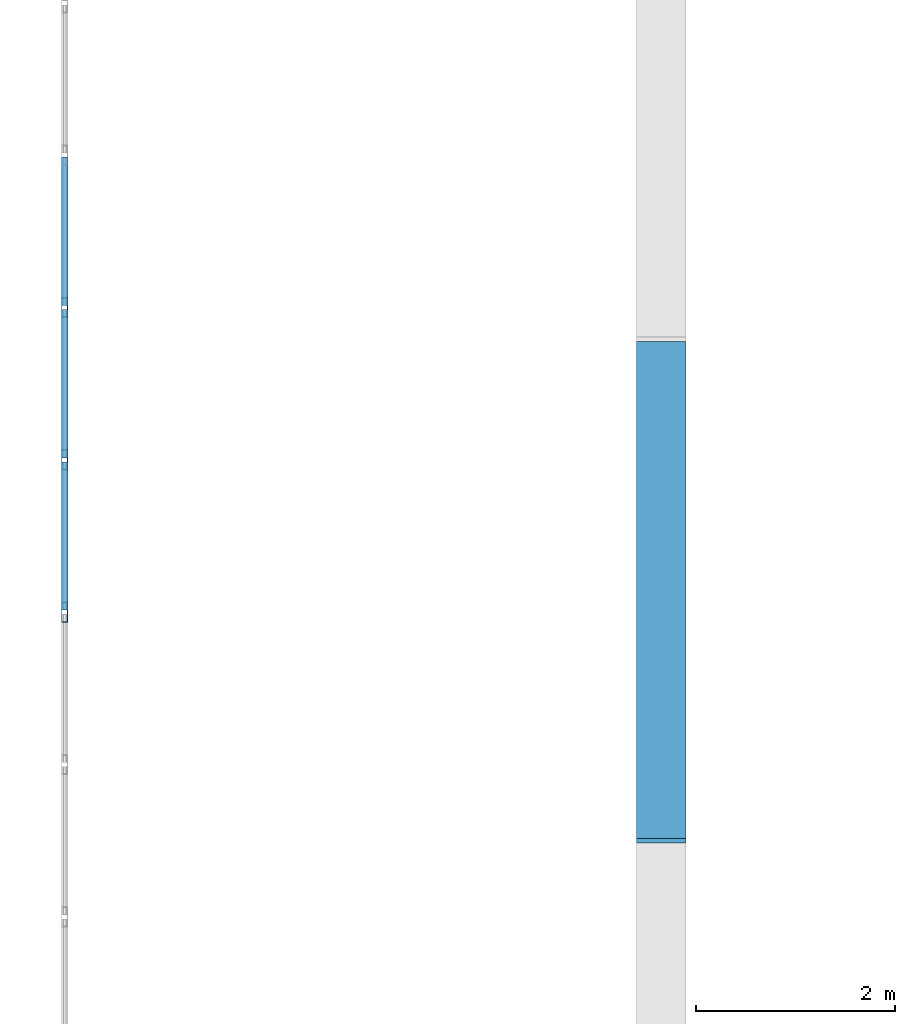
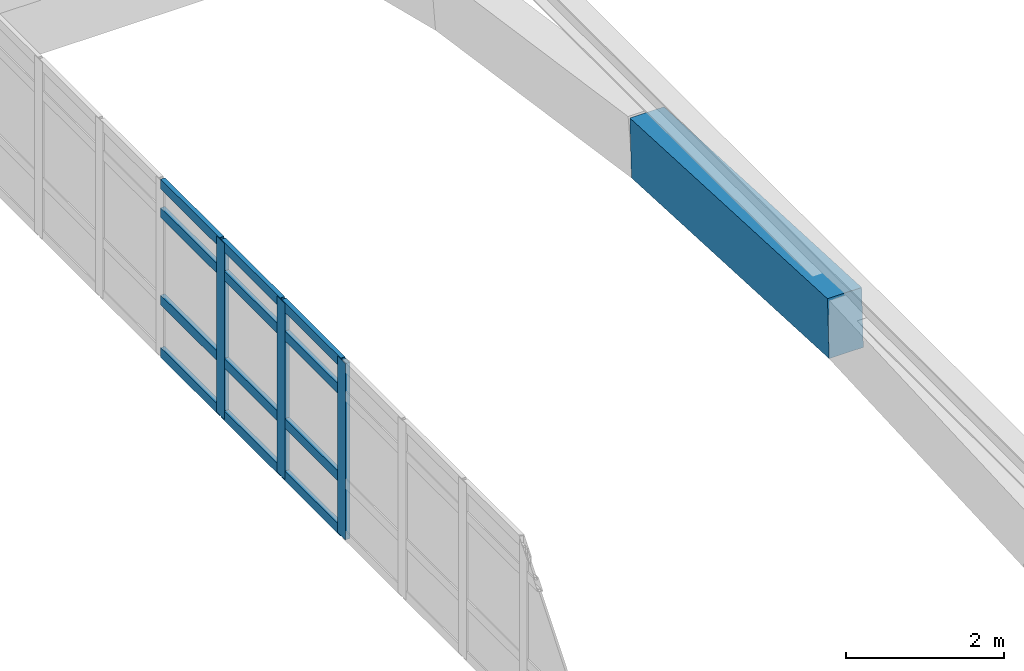
# One storey, part 17 of 161: 15 members, 1 beam, 1 element without a shape of its own.
"""IFC4 building model written with IfcOpenShell, lengths in metres."""

from ifc_helpers import new_model, si_unit, direction, frame, origin, origin_2d, place, context, subcontext, project, spatial, rectangle, hollow_rectangle, extrude, material, layer, layer_set, material_profile, profile_set, type_object, element, aggregate, save


model = new_model("IFC4")

# Units and contexts
model_context = context("Model", 3, precision=1e-05, world=origin(), true_north=direction((0.0, 1.0)))
body_context = subcontext(model_context, "Body", "Model", "MODEL_VIEW")
ifc_project = project(units=[si_unit("LENGTHUNIT", "METRE"), si_unit("AREAUNIT", "SQUARE_METRE"), si_unit("VOLUMEUNIT", "CUBIC_METRE"), si_unit("PLANEANGLEUNIT", "RADIAN"), si_unit("MASSUNIT", "GRAM", prefix="KILO")], contexts=[model_context])

# Site, building, storey
site_placement = place(None, origin())
site = spatial("IfcSite", under=ifc_project, at=site_placement, CompositionType="ELEMENT")
building_placement = place(site_placement, origin())
building = spatial("IfcBuilding", under=site, at=building_placement, Name="Mersad Railyard Sports Hall", CompositionType="ELEMENT")
storey_placement = place(building_placement, frame((0.0, 0.0, 4.800048828125)))
storey = spatial("IfcBuildingStorey", under=building, at=storey_placement, Name="L01", CompositionType="ELEMENT", Elevation=4.800048828125)

# Curtain wall, members
ifc_material_1 = material(Name="Aluminium 6063-T6", Category="aluminium")
ifc_layer = layer(ifc_material_1, 0.199951171875)
ifc_layer_set = layer_set([ifc_layer], Name="Aluminium 6063-T6")
curtain_wall_type = type_object("IfcCurtainWallType", Name="ARC-CW-CW04", PredefinedType="USERDEFINED", material=ifc_layer_set)
curtain_wall_placement = place(storey_placement, origin())
curtain_wall = element("IfcCurtainWall", 1, at=curtain_wall_placement, inside=storey, type_object=curtain_wall_type, Name="Curtain wall CW04-0024", ObjectType="CURTAIN WALL", PredefinedType="USERDEFINED")
ifc_material_profile_1 = material_profile(ifc_material_1, hollow_rectangle(XDim=0.06494140625, YDim=0.199951171875, WallThickness=0.0048828125, at=origin_2d()), Name="AL MULLION 65x200x5")
ifc_profile_set_1 = profile_set([ifc_material_profile_1], Name="Aluminium 6063-T6")
member_type_1 = type_object("IfcMemberType", Name="ARC-CW-MUL02", PredefinedType="MULLION", material=ifc_profile_set_1)
member_1_placement = place(storey_placement, frame((7.0, 30.798095703125, -0.02001953125), z_axis=(0.0, 0.0, 1.0), x_axis=(1.0, 0.0, 0.0)))
member_1 = element("IfcMember", 2, at=member_1_placement, type_object=member_type_1, Name="CW04 Mullion 12", PredefinedType="MULLION", context=body_context, shape_type="SweptSolid", body=[
    extrude(hollow_rectangle(XDim=0.06494140625, YDim=0.199951171875, WallThickness=0.0048828125, at=origin_2d()), origin(), (0.0, 0.0, 1.0), 2.719970703125),
])
member_2_placement = place(storey_placement, frame((7.0, 32.330322265625, -0.02001953125), z_axis=(0.0, 0.0, 1.0), x_axis=(1.0, 0.0, 0.0)))
member_2 = element("IfcMember", 3, at=member_2_placement, type_object=member_type_1, Name="CW04 Mullion 13", PredefinedType="MULLION", context=body_context, shape_type="SweptSolid", body=[
    extrude(hollow_rectangle(XDim=0.06494140625, YDim=0.199951171875, WallThickness=0.0048828125, at=origin_2d()), origin(), (0.0, 0.0, 1.0), 2.719970703125),
])
member_3_placement = place(storey_placement, frame((7.0, 33.8623046875, -0.02001953125), z_axis=(0.0, 0.0, 1.0), x_axis=(1.0, 0.0, 0.0)))
member_3 = element("IfcMember", 4, at=member_3_placement, type_object=member_type_1, Name="CW04 Mullion 14", PredefinedType="MULLION", context=body_context, shape_type="SweptSolid", body=[
    extrude(hollow_rectangle(XDim=0.06494140625, YDim=0.199951171875, WallThickness=0.0048828125, at=origin_2d()), origin(), (0.0, 0.0, 1.0), 2.719970703125),
])
ifc_material_profile_2 = material_profile(ifc_material_1, hollow_rectangle(XDim=0.06494140625, YDim=0.14990234375, WallThickness=0.00439453125, at=origin_2d()), Name="AL TRANSOM 65x150x4.5")
ifc_profile_set_2 = profile_set([ifc_material_profile_2], Name="Aluminium 6063-T6")
member_type_2 = type_object("IfcMemberType", Name="ARC-CW-TRN02", PredefinedType="USERDEFINED", material=ifc_profile_set_2)
member_4_placement = place(storey_placement, frame((7.0, 30.818115234375, 0.0400390625), z_axis=(0.0, 1.0, 0.0), x_axis=(-1.0, 0.0, 0.0)))
member_4 = element("IfcMember", 5, at=member_4_placement, type_object=member_type_2, Name="CW04 Transom 1-12", ObjectType="TRANSOM", PredefinedType="USERDEFINED", context=body_context, shape_type="SweptSolid", body=[
    extrude(hollow_rectangle(XDim=0.06494140625, YDim=0.14990234375, WallThickness=0.00439453125, at=origin_2d()), origin(), (0.0, 0.0, 1.0), 1.4921875),
])
member_5_placement = place(storey_placement, frame((7.0, 32.350341796875, 0.0400390625), z_axis=(0.0, 1.0, 0.0), x_axis=(-1.0, 0.0, 0.0)))
member_5 = element("IfcMember", 6, at=member_5_placement, type_object=member_type_2, Name="CW04 Transom 1-13", ObjectType="TRANSOM", PredefinedType="USERDEFINED", context=body_context, shape_type="SweptSolid", body=[
    extrude(hollow_rectangle(XDim=0.06494140625, YDim=0.14990234375, WallThickness=0.00439453125, at=origin_2d()), origin(), (0.0, 0.0, 1.0), 1.491943359375),
])
member_6_placement = place(storey_placement, frame((7.0, 33.88232421875, 0.0400390625), z_axis=(0.0, 1.0, 0.0), x_axis=(-1.0, 0.0, 0.0)))
member_6 = element("IfcMember", 7, at=member_6_placement, type_object=member_type_2, Name="CW04 Transom 1-14", ObjectType="TRANSOM", PredefinedType="USERDEFINED", context=body_context, shape_type="SweptSolid", body=[
    extrude(hollow_rectangle(XDim=0.06494140625, YDim=0.14990234375, WallThickness=0.00439453125, at=origin_2d()), origin(), (0.0, 0.0, 1.0), 1.4921875),
])
member_7_placement = place(storey_placement, frame((7.0, 30.818115234375, 0.849853515625), z_axis=(0.0, 1.0, 0.0), x_axis=(-1.0, 0.0, 0.0)))
member_7 = element("IfcMember", 8, at=member_7_placement, type_object=member_type_2, Name="CW04 Transom 2-12", ObjectType="TRANSOM", PredefinedType="USERDEFINED", context=body_context, shape_type="SweptSolid", body=[
    extrude(hollow_rectangle(XDim=0.06494140625, YDim=0.14990234375, WallThickness=0.00439453125, at=origin_2d()), origin(), (0.0, 0.0, 1.0), 1.4921875),
])
member_8_placement = place(storey_placement, frame((7.0, 32.350341796875, 0.849853515625), z_axis=(0.0, 1.0, 0.0), x_axis=(-1.0, 0.0, 0.0)))
member_8 = element("IfcMember", 9, at=member_8_placement, type_object=member_type_2, Name="CW04 Transom 2-13", ObjectType="TRANSOM", PredefinedType="USERDEFINED", context=body_context, shape_type="SweptSolid", body=[
    extrude(hollow_rectangle(XDim=0.06494140625, YDim=0.14990234375, WallThickness=0.00439453125, at=origin_2d()), origin(), (0.0, 0.0, 1.0), 1.491943359375),
])
member_9_placement = place(storey_placement, frame((7.0, 33.88232421875, 0.849853515625), z_axis=(0.0, 1.0, 0.0), x_axis=(-1.0, 0.0, 0.0)))
member_9 = element("IfcMember", 10, at=member_9_placement, type_object=member_type_2, Name="CW04 Transom 2-14", ObjectType="TRANSOM", PredefinedType="USERDEFINED", context=body_context, shape_type="SweptSolid", body=[
    extrude(hollow_rectangle(XDim=0.06494140625, YDim=0.14990234375, WallThickness=0.00439453125, at=origin_2d()), origin(), (0.0, 0.0, 1.0), 1.4921875),
])
member_10_placement = place(storey_placement, frame((7.0, 30.818115234375, 2.199951171875), z_axis=(0.0, 1.0, 0.0), x_axis=(-1.0, 0.0, 0.0)))
member_10 = element("IfcMember", 11, at=member_10_placement, type_object=member_type_2, Name="CW04 Transom 3-12", ObjectType="TRANSOM", PredefinedType="USERDEFINED", context=body_context, shape_type="SweptSolid", body=[
    extrude(hollow_rectangle(XDim=0.06494140625, YDim=0.14990234375, WallThickness=0.00439453125, at=origin_2d()), origin(), (0.0, 0.0, 1.0), 1.4921875),
])
member_11_placement = place(storey_placement, frame((7.0, 32.350341796875, 2.199951171875), z_axis=(0.0, 1.0, 0.0), x_axis=(-1.0, 0.0, 0.0)))
member_11 = element("IfcMember", 12, at=member_11_placement, type_object=member_type_2, Name="CW04 Transom 3-13", ObjectType="TRANSOM", PredefinedType="USERDEFINED", context=body_context, shape_type="SweptSolid", body=[
    extrude(hollow_rectangle(XDim=0.06494140625, YDim=0.14990234375, WallThickness=0.00439453125, at=origin_2d()), origin(), (0.0, 0.0, 1.0), 1.491943359375),
])
member_12_placement = place(storey_placement, frame((7.0, 33.88232421875, 2.199951171875), z_axis=(0.0, 1.0, 0.0), x_axis=(-1.0, 0.0, 0.0)))
member_12 = element("IfcMember", 13, at=member_12_placement, type_object=member_type_2, Name="CW04 Transom 3-14", ObjectType="TRANSOM", PredefinedType="USERDEFINED", context=body_context, shape_type="SweptSolid", body=[
    extrude(hollow_rectangle(XDim=0.06494140625, YDim=0.14990234375, WallThickness=0.00439453125, at=origin_2d()), origin(), (0.0, 0.0, 1.0), 1.4921875),
])
member_13_placement = place(storey_placement, frame((7.0, 30.818115234375, 2.639892578125), z_axis=(0.0, 1.0, 0.0), x_axis=(-1.0, 0.0, 0.0)))
member_13 = element("IfcMember", 14, at=member_13_placement, type_object=member_type_2, Name="CW04 Transom 4-12", ObjectType="TRANSOM", PredefinedType="USERDEFINED", context=body_context, shape_type="SweptSolid", body=[
    extrude(hollow_rectangle(XDim=0.06494140625, YDim=0.14990234375, WallThickness=0.00439453125, at=origin_2d()), origin(), (0.0, 0.0, 1.0), 1.4921875),
])
member_14_placement = place(storey_placement, frame((7.0, 32.350341796875, 2.639892578125), z_axis=(0.0, 1.0, 0.0), x_axis=(-1.0, 0.0, 0.0)))
member_14 = element("IfcMember", 15, at=member_14_placement, type_object=member_type_2, Name="CW04 Transom 4-13", ObjectType="TRANSOM", PredefinedType="USERDEFINED", context=body_context, shape_type="SweptSolid", body=[
    extrude(hollow_rectangle(XDim=0.06494140625, YDim=0.14990234375, WallThickness=0.00439453125, at=origin_2d()), origin(), (0.0, 0.0, 1.0), 1.491943359375),
])
member_15_placement = place(storey_placement, frame((7.0, 33.88232421875, 2.639892578125), z_axis=(0.0, 1.0, 0.0), x_axis=(-1.0, 0.0, 0.0)))
member_15 = element("IfcMember", 16, at=member_15_placement, type_object=member_type_2, Name="CW04 Transom 4-14", ObjectType="TRANSOM", PredefinedType="USERDEFINED", context=body_context, shape_type="SweptSolid", body=[
    extrude(hollow_rectangle(XDim=0.06494140625, YDim=0.14990234375, WallThickness=0.00439453125, at=origin_2d()), origin(), (0.0, 0.0, 1.0), 1.4921875),
])
aggregate(curtain_wall, [member_1, member_2, member_3, member_4, member_5, member_6, member_7, member_8, member_9, member_10, member_11, member_12, member_13, member_14, member_15])

# Beam
ifc_material_2 = material(Name="Architectural concrete C50/60", Category="concrete")
ifc_material_profile_3 = material_profile(ifc_material_2, rectangle(XDim=0.5, YDim=0.89990234375, at=origin_2d()), Name="VR 500x900")
ifc_profile_set_3 = profile_set([ifc_material_profile_3], Name="Architectural concrete C50/60")
beam_type = type_object("IfcBeamType", Name="STR-BM-VR02", PredefinedType="BEAM", material=ifc_profile_set_3)
beam_placement = place(storey_placement, frame((13.0, 28.5, 2.550048828125), z_axis=(0.0, 0.998840719075, -0.048137489733), x_axis=(-1.0, 0.0, 0.0)))
element("IfcBeam", 17, at=beam_placement, inside=storey, type_object=beam_type, Name="Beam VR02-0509", PredefinedType="BEAM", context=body_context, shape_type="SweptSolid", body=[
    extrude(rectangle(XDim=0.5, YDim=0.89990234375, at=origin_2d()), origin(), (0.0, 0.0, 1.0), 5.005859375),
])

save(model, "model.ifc")
